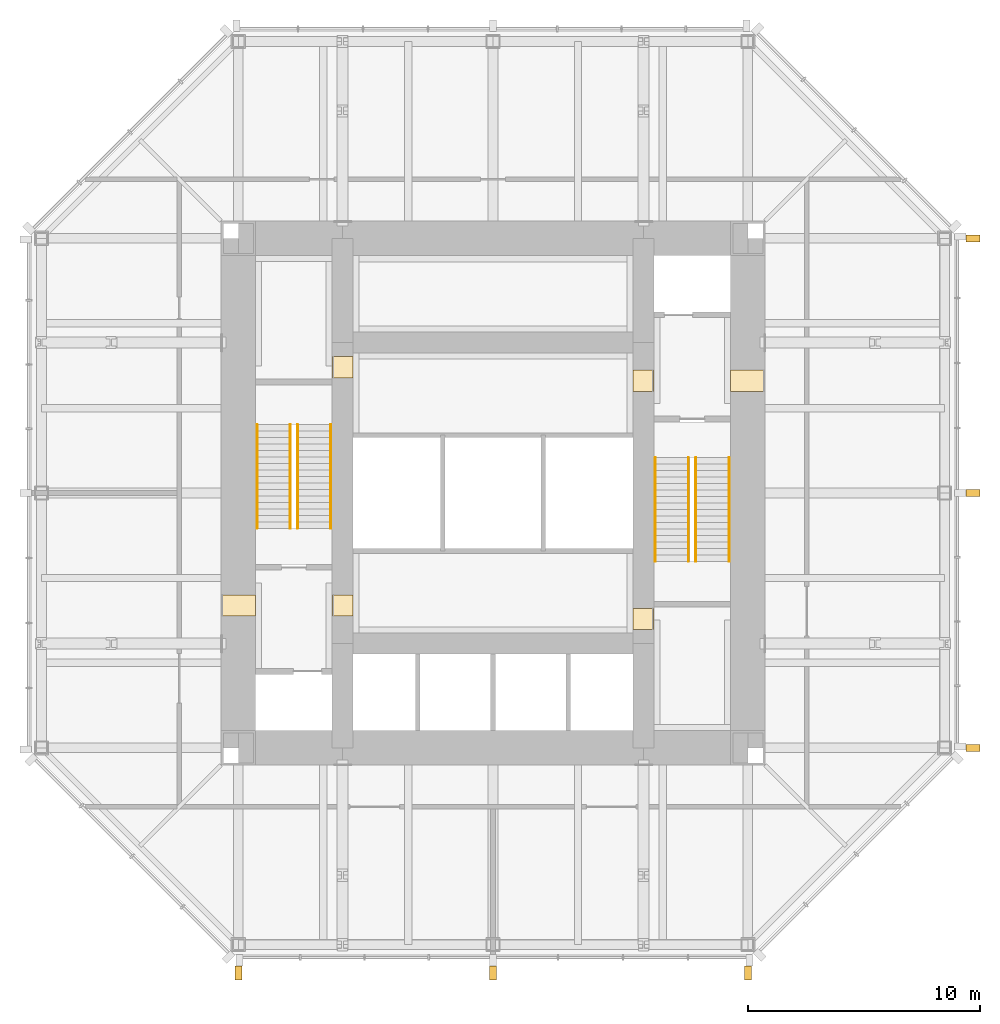
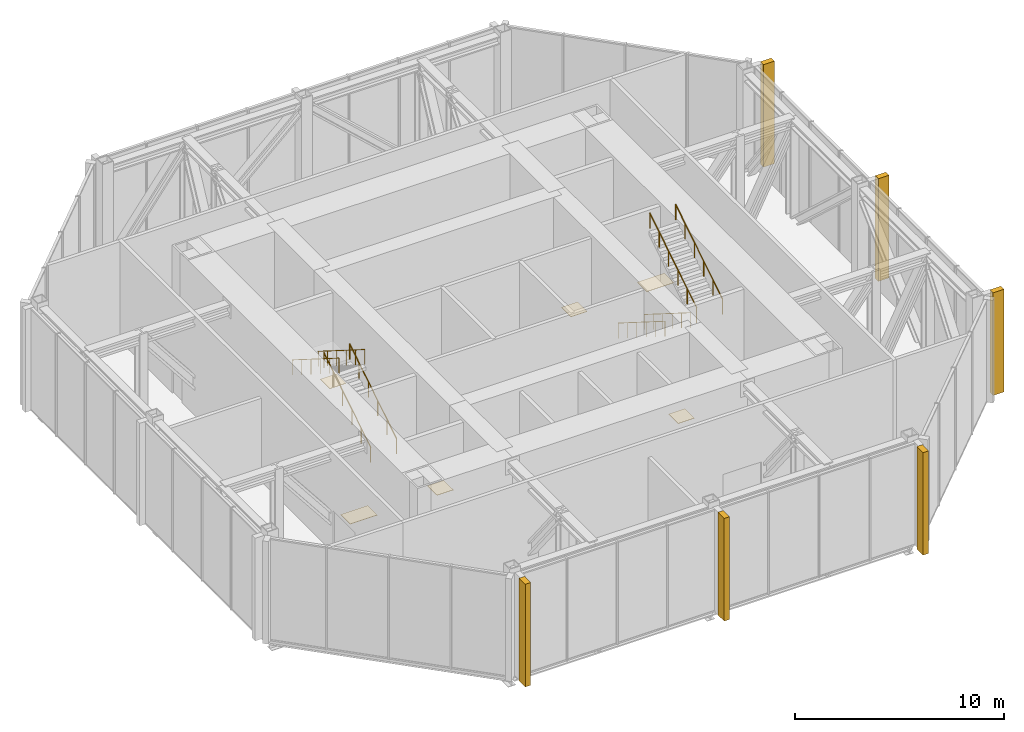
# One storey, part 11 of 11: 12 coverings, 8 railings.
"""IFC4 building model written with IfcOpenShell, lengths in metres."""

from ifc_helpers import new_model, si_unit, direction, frame, origin, origin_2d, place, context, subcontext, project, spatial, polyline, rectangle, circle, outline, extrude, material, layer, layer_set, type_object, element, save


model = new_model("IFC4")

# Units and contexts
model_context = context("Model", 3, precision=1e-05, world=origin(), true_north=direction((0.0, 1.0)))
body_context = subcontext(model_context, "Body", "Model", "MODEL_VIEW")
ifc_project = project(units=[si_unit("LENGTHUNIT", "METRE"), si_unit("AREAUNIT", "SQUARE_METRE"), si_unit("VOLUMEUNIT", "CUBIC_METRE"), si_unit("PLANEANGLEUNIT", "RADIAN"), si_unit("MASSUNIT", "GRAM", prefix="KILO")], contexts=[model_context])

# Site, building, storey
site_placement = place(None, origin())
site = spatial("IfcSite", under=ifc_project, at=site_placement, CompositionType="ELEMENT")
building_placement = place(site_placement, origin())
building = spatial("IfcBuilding", under=site, at=building_placement, Name="Trevanion Tower", CompositionType="ELEMENT")
storey_placement = place(building_placement, frame((0.0, 0.0, 257.199951171875)))
storey = spatial("IfcBuildingStorey", under=building, at=storey_placement, Name="L63", CompositionType="ELEMENT", Elevation=257.199951171875)

# Coverings
ifc_material_1 = material(Name="Cast bronze fin on aluminium carrier", Category="aluminium")
covering_type_1 = type_object("IfcCoveringType", Name="F1 bronze fin", PredefinedType="CLADDING", material=ifc_material_1)
for number, where, z_axis, x_axis, name in (
    (1, (20.72509765625, -11.0, -0.18994140625), (0.0, 0.0, 1.0), (0.0, 1.0, 0.0), "F1 L63 east -11.0"),
    (2, (20.72509765625, 0.0, -0.18994140625), (0.0, 0.0, 1.0), (0.0, 1.0, 0.0), "F1 L63 east +0.0"),
    (3, (20.72509765625, 11.0, -0.18994140625), (0.0, 0.0, 1.0), (0.0, 1.0, 0.0), "F1 L63 east +11.0"),
    (4, (-11.0, -20.72509765625, -0.18994140625), (0.0, 0.0, 1.0), (1.0, 0.0, 0.0), "F1 L63 south -11.0"),
    (5, (0.0, -20.72509765625, -0.18994140625), (0.0, 0.0, 1.0), (1.0, 0.0, 0.0), "F1 L63 south +0.0"),
    (6, (11.0, -20.72509765625, -0.18994140625), (0.0, 0.0, 1.0), (1.0, 0.0, 0.0), "F1 L63 south +11.0"),
):
    element("IfcCovering", number, at=place(storey_placement, frame(where, z_axis=z_axis, x_axis=x_axis)), inside=storey, type_object=covering_type_1, Name=name, PredefinedType="CLADDING", context=body_context, shape_type="SweptSolid", body=[
        extrude(rectangle(XDim=0.300048828125, YDim=0.60009765625, at=origin_2d()), origin(), (0.0, 0.0, 1.0), 6.0),
    ])
ifc_material_2 = material(Name="Terrazzo, brass divider strips", Category="stone")
ifc_layer = layer(ifc_material_2, 0.02001953125)
ifc_layer_set = layer_set([ifc_layer], Name="FF1 terrazzo flooring")
covering_type_2 = type_object("IfcCoveringType", Name="FF1 terrazzo flooring", PredefinedType="FLOORING", material=ifc_layer_set)
covering_1_placement = place(storey_placement, origin())
element("IfcCovering", 7, at=covering_1_placement, inside=storey, type_object=covering_type_2, Name="FF1 threshold 63-001", PredefinedType="FLOORING", context=body_context, shape_type="SweptSolid", body=[
    extrude(outline(polyline([(11.75, 4.392578125), (11.75, 5.3076171875), (10.25, 5.3076171875), (10.25, 4.392578125), (11.75, 4.392578125)])), origin(), (0.0, 0.0, 1.0), 0.02001953125),
])
covering_2_placement = place(storey_placement, origin())
element("IfcCovering", 8, at=covering_2_placement, inside=storey, type_object=covering_type_2, Name="FF1 threshold 63-002", PredefinedType="FLOORING", context=body_context, shape_type="SweptSolid", body=[
    extrude(outline(polyline([(-11.75, -4.392578125), (-11.75, -5.3076171875), (-10.25, -5.3076171875), (-10.25, -4.392578125), (-11.75, -4.392578125)])), origin(), (0.0, 0.0, 1.0), 0.02001953125),
])
covering_3_placement = place(storey_placement, origin())
element("IfcCovering", 9, at=covering_3_placement, inside=storey, type_object=covering_type_2, Name="FF1 threshold 63-003", PredefinedType="FLOORING", context=body_context, shape_type="SweptSolid", body=[
    extrude(outline(polyline([(6.949951171875, 4.392578125), (6.949951171875, 5.3076171875), (6.050048828125, 5.3076171875), (6.050048828125, 4.392578125), (6.949951171875, 4.392578125)])), origin(), (0.0, 0.0, 1.0), 0.02001953125),
])
covering_4_placement = place(storey_placement, origin())
element("IfcCovering", 10, at=covering_4_placement, inside=storey, type_object=covering_type_2, Name="FF1 threshold 63-004", PredefinedType="FLOORING", context=body_context, shape_type="SweptSolid", body=[
    extrude(outline(polyline([(-6.949951171875, -4.392578125), (-6.949951171875, -5.3076171875), (-6.050048828125, -5.3076171875), (-6.050048828125, -4.392578125), (-6.949951171875, -4.392578125)])), origin(), (0.0, 0.0, 1.0), 0.02001953125),
])
covering_5_placement = place(storey_placement, origin())
element("IfcCovering", 11, at=covering_5_placement, inside=storey, type_object=covering_type_2, Name="FF1 threshold 63-009", PredefinedType="FLOORING", context=body_context, shape_type="SweptSolid", body=[
    extrude(outline(polyline([(6.949951171875, -5.889892578125), (6.949951171875, -4.97509765625), (6.050048828125, -4.97509765625), (6.050048828125, -5.889892578125), (6.949951171875, -5.889892578125)])), origin(), (0.0, 0.0, 1.0), 0.02001953125),
])
covering_6_placement = place(storey_placement, origin())
element("IfcCovering", 12, at=covering_6_placement, inside=storey, type_object=covering_type_2, Name="FF1 threshold 63-010", PredefinedType="FLOORING", context=body_context, shape_type="SweptSolid", body=[
    extrude(outline(polyline([(-6.949951171875, 5.889892578125), (-6.949951171875, 4.97509765625), (-6.050048828125, 4.97509765625), (-6.050048828125, 5.889892578125), (-6.949951171875, 5.889892578125)])), origin(), (0.0, 0.0, 1.0), 0.02001953125),
])

# Railings
ifc_material_3 = material(Name="Stainless steel tube 40 mm", Category="steel")
railing_type = type_object("IfcRailingType", Name="HR1 handrail", PredefinedType="HANDRAIL", material=ifc_material_3)
for number, where, name in (
    (13, (7.010009765625, 1.52490234375, 0.176513671875), "HR1 ST1 L63 flight 1"),
    (14, (8.43994140625, 1.52490234375, 0.176513671875), "HR1 ST1 L63 flight 1"),
):
    element("IfcRailing", number, at=place(storey_placement, frame(where)), inside=storey, type_object=railing_type, Name=name, PredefinedType="HANDRAIL", context=body_context, shape_type="SweptSolid", body=[
        extrude(circle(Radius=0.02001953125, at=origin_2d()), frame((0.0, 0.0, 0.8798828125), z_axis=(0.0, -0.845997938375, 0.533186166611), x_axis=(1.0, 0.0, 0.0)), (0.0, 0.0, 1.0), 5.29541015625),
        extrude(circle(Radius=0.01513671875, at=origin_2d()), origin(), (0.0, 0.0, 1.0), 0.85986328125),
        extrude(circle(Radius=0.01513671875, at=origin_2d()), frame((0.0, -0.89599609375, 0.564697265625)), (0.0, 0.0, 1.0), 0.85986328125),
        extrude(circle(Radius=0.01513671875, at=origin_2d()), frame((0.0, -1.7919921875, 1.12939453125)), (0.0, 0.0, 1.0), 0.85986328125),
        extrude(circle(Radius=0.01513671875, at=origin_2d()), frame((0.0, -2.68798828125, 1.694091796875)), (0.0, 0.0, 1.0), 0.85986328125),
        extrude(circle(Radius=0.01513671875, at=origin_2d()), frame((0.0, -3.583984375, 2.2587890625)), (0.0, 0.0, 1.0), 0.85986328125),
        extrude(circle(Radius=0.01513671875, at=origin_2d()), frame((0.0, -4.47998046875, 2.823486328125)), (0.0, 0.0, 1.0), 0.85986328125),
    ])
for number, where, name in (
    (15, (8.760009765625, -2.955078125, 3.176513671875), "HR1 ST1 L63 flight 2"),
    (16, (10.18994140625, -2.955078125, 3.176513671875), "HR1 ST1 L63 flight 2"),
    (17, (-7.010009765625, -1.52490234375, 0.176513671875), "HR1 ST2 L63 flight 1"),
    (18, (-8.43994140625, -1.52490234375, 0.176513671875), "HR1 ST2 L63 flight 1"),
):
    element("IfcRailing", number, at=place(storey_placement, frame(where)), inside=storey, type_object=railing_type, Name=name, PredefinedType="HANDRAIL", context=body_context, shape_type="SweptSolid", body=[
        extrude(circle(Radius=0.02001953125, at=origin_2d()), frame((0.0, 0.0, 0.8798828125), z_axis=(0.0, 0.845997938375, 0.533186166611), x_axis=(-1.0, 0.0, 0.0)), (0.0, 0.0, 1.0), 5.29541015625),
        extrude(circle(Radius=0.01513671875, at=origin_2d()), origin(), (0.0, 0.0, 1.0), 0.85986328125),
        extrude(circle(Radius=0.01513671875, at=origin_2d()), frame((0.0, 0.89599609375, 0.564697265625)), (0.0, 0.0, 1.0), 0.85986328125),
        extrude(circle(Radius=0.01513671875, at=origin_2d()), frame((0.0, 1.7919921875, 1.12939453125)), (0.0, 0.0, 1.0), 0.85986328125),
        extrude(circle(Radius=0.01513671875, at=origin_2d()), frame((0.0, 2.68798828125, 1.694091796875)), (0.0, 0.0, 1.0), 0.85986328125),
        extrude(circle(Radius=0.01513671875, at=origin_2d()), frame((0.0, 3.583984375, 2.2587890625)), (0.0, 0.0, 1.0), 0.85986328125),
        extrude(circle(Radius=0.01513671875, at=origin_2d()), frame((0.0, 4.47998046875, 2.823486328125)), (0.0, 0.0, 1.0), 0.85986328125),
    ])
for number, where, name in (
    (19, (-8.760009765625, 2.955078125, 3.176513671875), "HR1 ST2 L63 flight 2"),
    (20, (-10.18994140625, 2.955078125, 3.176513671875), "HR1 ST2 L63 flight 2"),
):
    element("IfcRailing", number, at=place(storey_placement, frame(where)), inside=storey, type_object=railing_type, Name=name, PredefinedType="HANDRAIL", context=body_context, shape_type="SweptSolid", body=[
        extrude(circle(Radius=0.02001953125, at=origin_2d()), frame((0.0, 0.0, 0.8798828125), z_axis=(0.0, -0.845997938375, 0.533186166611), x_axis=(1.0, 0.0, 0.0)), (0.0, 0.0, 1.0), 5.29541015625),
        extrude(circle(Radius=0.01513671875, at=origin_2d()), origin(), (0.0, 0.0, 1.0), 0.85986328125),
        extrude(circle(Radius=0.01513671875, at=origin_2d()), frame((0.0, -0.89599609375, 0.564697265625)), (0.0, 0.0, 1.0), 0.85986328125),
        extrude(circle(Radius=0.01513671875, at=origin_2d()), frame((0.0, -1.7919921875, 1.12939453125)), (0.0, 0.0, 1.0), 0.85986328125),
        extrude(circle(Radius=0.01513671875, at=origin_2d()), frame((0.0, -2.68798828125, 1.694091796875)), (0.0, 0.0, 1.0), 0.85986328125),
        extrude(circle(Radius=0.01513671875, at=origin_2d()), frame((0.0, -3.583984375, 2.2587890625)), (0.0, 0.0, 1.0), 0.85986328125),
        extrude(circle(Radius=0.01513671875, at=origin_2d()), frame((0.0, -4.47998046875, 2.823486328125)), (0.0, 0.0, 1.0), 0.85986328125),
    ])

save(model, "model.ifc")
